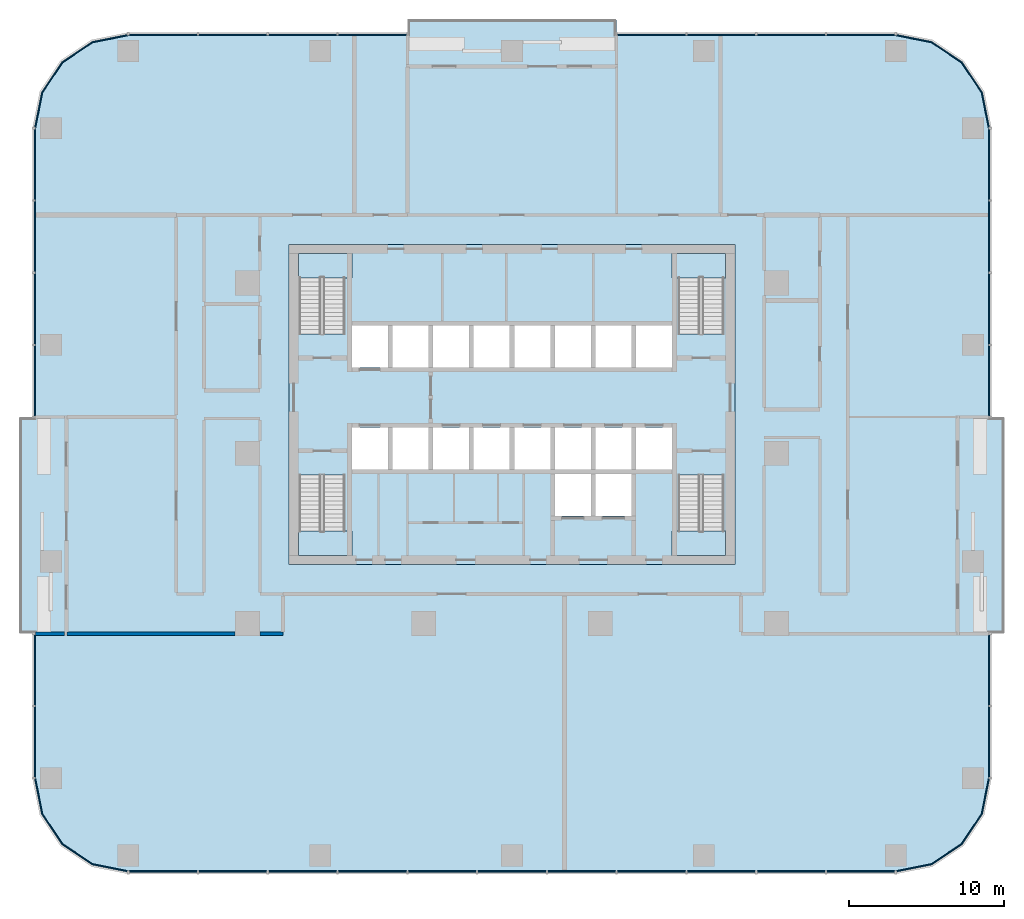
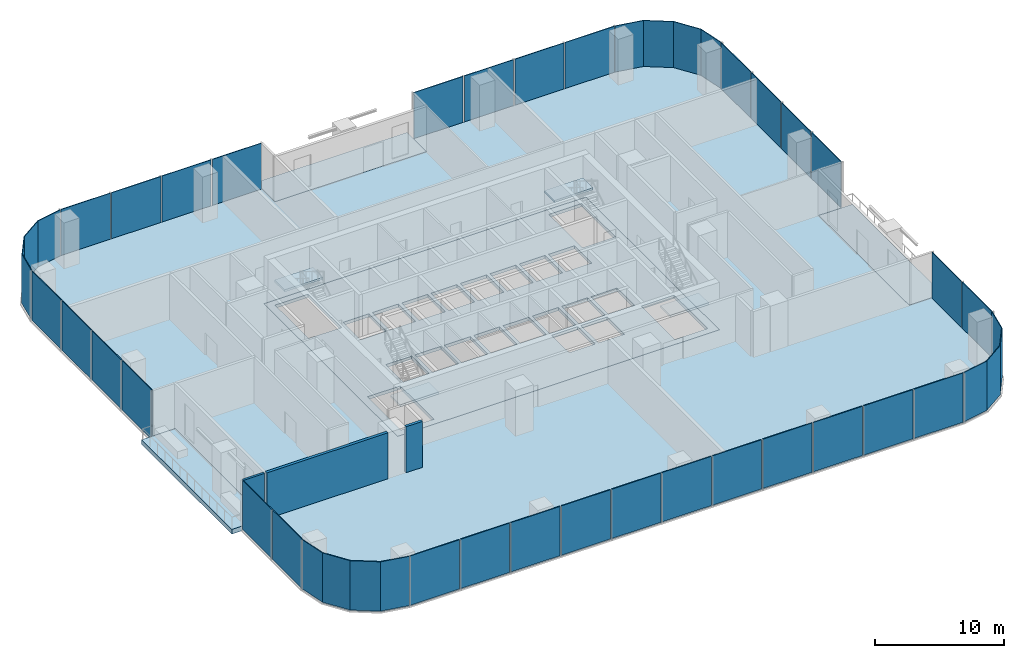
# One storey, part 6 of 14: 35 plates, 9 slabs, 3 walls, 15 elements without a shape of their own.
"""IFC4 building model written with IfcOpenShell, lengths in metres."""

from ifc_helpers import new_model, si_unit, direction, frame, frame_2d, origin, origin_2d, place, context, subcontext, project, spatial, polyline, rectangle, outline, extrude, material, layer, layer_set, type_object, element, aggregate, save


model = new_model("IFC4")

# Units and contexts
model_context = context("Model", 3, precision=1e-05, world=origin(), true_north=direction((0.0, 1.0)))
body_context = subcontext(model_context, "Body", "Model", "MODEL_VIEW")
ifc_project = project(units=[si_unit("LENGTHUNIT", "METRE"), si_unit("AREAUNIT", "SQUARE_METRE"), si_unit("VOLUMEUNIT", "CUBIC_METRE"), si_unit("PLANEANGLEUNIT", "RADIAN"), si_unit("MASSUNIT", "GRAM", prefix="KILO")], contexts=[model_context])

# Site, building, storey
site_placement = place(None, origin())
site = spatial("IfcSite", under=ifc_project, at=site_placement, CompositionType="ELEMENT")
building_placement = place(site_placement, origin())
building = spatial("IfcBuilding", under=site, at=building_placement, Name="Mopane Tessera Tower", CompositionType="ELEMENT")
storey_placement = place(building_placement, frame((0.0, 0.0, 40.60009765625)))
storey = spatial("IfcBuildingStorey", under=building, at=storey_placement, Name="L07", CompositionType="ELEMENT", Elevation=40.60009765625)

# Slab
ifc_material_1 = material(Name="Concrete C40/50", Category="concrete")
ifc_layer_1 = layer(ifc_material_1, 0.300048828125)
ifc_layer_set_1 = layer_set([ifc_layer_1], Name="Concrete C40/50")
slab_type_1 = type_object("IfcSlabType", Name="Core floor slab 300 mm", PredefinedType="FLOOR", material=ifc_layer_set_1)
slab_1_placement = place(storey_placement, frame((0.0, 0.0, -0.300048828125)))
element("IfcSlab", 1, at=slab_1_placement, inside=storey, type_object=slab_type_1, Name="L07 core floor slab", PredefinedType="FLOOR", context=body_context, shape_type="SweptSolid", body=[
    extrude(outline(polyline([(-14.39990234375, -7.199951171875), (14.39990234375, -7.199951171875), (14.39990234375, 13.5), (-14.39990234375, 13.5), (-14.39990234375, -7.199951171875)]), holes=[polyline([(-10.35009765625, -1.050048828125), (-8.02490234375, -1.050048828125), (-8.02490234375, 1.64990234375), (-10.35009765625, 1.64990234375), (-10.35009765625, -1.050048828125)]), polyline([(-7.72509765625, -1.050048828125), (-5.39990234375, -1.050048828125), (-5.39990234375, 1.64990234375), (-7.72509765625, 1.64990234375), (-7.72509765625, -1.050048828125)]), polyline([(-5.10009765625, -1.050048828125), (-2.77490234375, -1.050048828125), (-2.77490234375, 1.64990234375), (-5.10009765625, 1.64990234375), (-5.10009765625, -1.050048828125)]), polyline([(-2.47509765625, -1.050048828125), (-0.14990234375, -1.050048828125), (-0.14990234375, 1.64990234375), (-2.47509765625, 1.64990234375), (-2.47509765625, -1.050048828125)]), polyline([(0.14990234375, -1.050048828125), (2.47509765625, -1.050048828125), (2.47509765625, 1.64990234375), (0.14990234375, 1.64990234375), (0.14990234375, -1.050048828125)]), polyline([(2.77490234375, -1.050048828125), (5.10009765625, -1.050048828125), (5.10009765625, 1.64990234375), (2.77490234375, 1.64990234375), (2.77490234375, -1.050048828125)]), polyline([(5.39990234375, -1.050048828125), (7.72509765625, -1.050048828125), (7.72509765625, 1.64990234375), (5.39990234375, 1.64990234375), (5.39990234375, -1.050048828125)]), polyline([(8.02490234375, -1.050048828125), (10.35009765625, -1.050048828125), (10.35009765625, 1.64990234375), (8.02490234375, 1.64990234375), (8.02490234375, -1.050048828125)]), polyline([(-10.35009765625, 5.550048828125), (-8.02490234375, 5.550048828125), (-8.02490234375, 8.25), (-10.35009765625, 8.25), (-10.35009765625, 5.550048828125)]), polyline([(-7.72509765625, 5.550048828125), (-5.39990234375, 5.550048828125), (-5.39990234375, 8.25), (-7.72509765625, 8.25), (-7.72509765625, 5.550048828125)]), polyline([(-5.10009765625, 5.550048828125), (-2.77490234375, 5.550048828125), (-2.77490234375, 8.25), (-5.10009765625, 8.25), (-5.10009765625, 5.550048828125)]), polyline([(-2.47509765625, 5.550048828125), (-0.14990234375, 5.550048828125), (-0.14990234375, 8.25), (-2.47509765625, 8.25), (-2.47509765625, 5.550048828125)]), polyline([(0.14990234375, 5.550048828125), (2.47509765625, 5.550048828125), (2.47509765625, 8.25), (0.14990234375, 8.25), (0.14990234375, 5.550048828125)]), polyline([(2.77490234375, 5.550048828125), (5.10009765625, 5.550048828125), (5.10009765625, 8.25), (2.77490234375, 8.25), (2.77490234375, 5.550048828125)]), polyline([(5.39990234375, 5.550048828125), (7.72509765625, 5.550048828125), (7.72509765625, 8.25), (5.39990234375, 8.25), (5.39990234375, 5.550048828125)]), polyline([(8.02490234375, 5.550048828125), (10.35009765625, 5.550048828125), (10.35009765625, 8.25), (8.02490234375, 8.25), (8.02490234375, 5.550048828125)]), polyline([(2.77490234375, -4.050048828125), (5.10009765625, -4.050048828125), (5.10009765625, -1.35009765625), (2.77490234375, -1.35009765625), (2.77490234375, -4.050048828125)]), polyline([(5.39990234375, -4.050048828125), (7.72509765625, -4.050048828125), (7.72509765625, -1.35009765625), (5.39990234375, -1.35009765625), (5.39990234375, -4.050048828125)]), polyline([(-13.75, -1.405029296875), (-13.75, -6.60009765625), (-10.800048828125, -6.60009765625), (-10.800048828125, -1.405029296875), (-13.75, -1.405029296875)]), polyline([(-10.800048828125, 7.705078125), (-10.800048828125, 12.89990234375), (-13.75, 12.89990234375), (-13.75, 7.705078125), (-10.800048828125, 7.705078125)]), polyline([(10.75, -1.405029296875), (10.75, -6.60009765625), (13.699951171875, -6.60009765625), (13.699951171875, -1.405029296875), (10.75, -1.405029296875)]), polyline([(13.699951171875, 7.705078125), (13.699951171875, 12.89990234375), (10.75, 12.89990234375), (10.75, 7.705078125), (13.699951171875, 7.705078125)])]), origin(), (0.0, 0.0, 1.0), 0.300048828125),
])

# Stair, slab
ifc_material_2 = material(Name="Concrete C50/60", Category="concrete")
stair_type = type_object("IfcStairType", Name="Escape stair 1400 mm, riser 171 mm", PredefinedType="HALF_TURN_STAIR", material=ifc_material_2)
stair_1_placement = place(storey_placement, origin())
stair_1 = element("IfcStair", 2, at=stair_1_placement, inside=storey, type_object=stair_type, Name="L07 Escape stair south-west", PredefinedType="HALF_TURN_STAIR")
ifc_material_3 = material(Name="Concrete C50/60", Category="concrete")
ifc_layer_2 = layer(ifc_material_3, 0.199951171875)
ifc_layer_set_2 = layer_set([ifc_layer_2], Name="Concrete C50/60")
slab_type_2 = type_object("IfcSlabType", Name="Escape stair landing 200 mm", PredefinedType="LANDING", material=ifc_layer_set_2)
slab_2_placement = place(storey_placement, frame((0.0, 0.0, 2.199951171875)))
slab_2 = element("IfcSlab", 3, at=slab_2_placement, type_object=slab_type_2, Name="ST1 landing 1", PredefinedType="LANDING", context=body_context, shape_type="SweptSolid", body=[
    extrude(outline(polyline([(-13.800048828125, -5.0400390625), (-13.800048828125, -6.60009765625), (-10.35009765625, -6.60009765625), (-10.35009765625, -5.0400390625), (-13.800048828125, -5.0400390625)])), origin(), (0.0, 0.0, 1.0), 0.199951171875),
])
aggregate(stair_1, [slab_2])

stair_2_placement = place(storey_placement, origin())
stair_2 = element("IfcStair", 4, at=stair_2_placement, inside=storey, type_object=stair_type, Name="L07 Escape stair north-west", PredefinedType="HALF_TURN_STAIR")
slab_3_placement = place(storey_placement, frame((0.0, 0.0, 2.199951171875)))
slab_3 = element("IfcSlab", 5, at=slab_3_placement, type_object=slab_type_2, Name="ST2 landing 1", PredefinedType="LANDING", context=body_context, shape_type="SweptSolid", body=[
    extrude(outline(polyline([(-10.35009765625, 11.340087890625), (-10.35009765625, 12.89990234375), (-13.800048828125, 12.89990234375), (-13.800048828125, 11.340087890625), (-10.35009765625, 11.340087890625)])), origin(), (0.0, 0.0, 1.0), 0.199951171875),
])
aggregate(stair_2, [slab_3])

stair_3_placement = place(storey_placement, origin())
stair_3 = element("IfcStair", 6, at=stair_3_placement, inside=storey, type_object=stair_type, Name="L07 Escape stair south-east", PredefinedType="HALF_TURN_STAIR")
slab_4_placement = place(storey_placement, frame((0.0, 0.0, 2.199951171875)))
slab_4 = element("IfcSlab", 7, at=slab_4_placement, type_object=slab_type_2, Name="ST3 landing 1", PredefinedType="LANDING", context=body_context, shape_type="SweptSolid", body=[
    extrude(outline(polyline([(10.35009765625, -5.0400390625), (10.35009765625, -6.60009765625), (13.800048828125, -6.60009765625), (13.800048828125, -5.0400390625), (10.35009765625, -5.0400390625)])), origin(), (0.0, 0.0, 1.0), 0.199951171875),
])
aggregate(stair_3, [slab_4])

stair_4_placement = place(storey_placement, origin())
stair_4 = element("IfcStair", 8, at=stair_4_placement, inside=storey, type_object=stair_type, Name="L07 Escape stair north-east", PredefinedType="HALF_TURN_STAIR")
slab_5_placement = place(storey_placement, frame((0.0, 0.0, 2.199951171875)))
slab_5 = element("IfcSlab", 9, at=slab_5_placement, type_object=slab_type_2, Name="ST4 landing 1", PredefinedType="LANDING", context=body_context, shape_type="SweptSolid", body=[
    extrude(outline(polyline([(13.800048828125, 11.340087890625), (13.800048828125, 12.89990234375), (10.35009765625, 12.89990234375), (10.35009765625, 11.340087890625), (13.800048828125, 11.340087890625)])), origin(), (0.0, 0.0, 1.0), 0.199951171875),
])
aggregate(stair_4, [slab_5])

# Curtain wall, plates
ifc_material_4 = material(Name="Aluminium frame", Category="aluminium")
curtain_wall_type = type_object("IfcCurtainWallType", Name="Lower tower unitised wall", PredefinedType="NOTDEFINED", material=ifc_material_4)
curtain_wall_1_placement = place(storey_placement, origin())
curtain_wall_1 = element("IfcCurtainWall", 10, at=curtain_wall_1_placement, inside=storey, type_object=curtain_wall_type, Name="e:cw:L07:S:0", PredefinedType="NOTDEFINED")
ifc_material_5 = material(Name="Clear laminated glass", Category="glass")
ifc_layer_3 = layer(ifc_material_5, 0.070068359375)
ifc_layer_set_3 = layer_set([ifc_layer_3], Name="Clear laminated glass")
plate_type = type_object("IfcPlateType", Name="Laminated glazed unit 70", PredefinedType="CURTAIN_PANEL", material=ifc_layer_set_3)
plate_1_placement = place(storey_placement, frame((-22.54541015625, -27.034912109375, -0.31005859375), z_axis=(0.0, 0.0, 1.0), x_axis=(1.0, 0.0, 0.0)))
plate_1 = element("IfcPlate", 11, at=plate_1_placement, type_object=plate_type, Name="e:cw:L07:S:0:pn0", PredefinedType="CURTAIN_PANEL", context=body_context, shape_type="SweptSolid", body=[
    extrude(rectangle(XDim=4.399169921875, YDim=0.070068359375, at=origin_2d()), origin(), (0.0, 0.0, 1.0), 4.659912109375),
])
plate_2_placement = place(storey_placement, frame((-18.036376953125, -27.034912109375, -0.31005859375), z_axis=(0.0, 0.0, 1.0), x_axis=(1.0, 0.0, 0.0)))
plate_2 = element("IfcPlate", 12, at=plate_2_placement, type_object=plate_type, Name="e:cw:L07:S:0:pn1", PredefinedType="CURTAIN_PANEL", context=body_context, shape_type="SweptSolid", body=[
    extrude(rectangle(XDim=4.399169921875, YDim=0.070068359375, at=origin_2d()), origin(), (0.0, 0.0, 1.0), 4.659912109375),
])
plate_3_placement = place(storey_placement, frame((-13.52734375, -27.034912109375, -0.31005859375), z_axis=(0.0, 0.0, 1.0), x_axis=(1.0, 0.0, 0.0)))
plate_3 = element("IfcPlate", 13, at=plate_3_placement, type_object=plate_type, Name="e:cw:L07:S:0:pn2", PredefinedType="CURTAIN_PANEL", context=body_context, shape_type="SweptSolid", body=[
    extrude(rectangle(XDim=4.399169921875, YDim=0.070068359375, at=origin_2d()), origin(), (0.0, 0.0, 1.0), 4.659912109375),
])
plate_4_placement = place(storey_placement, frame((-9.01806640625, -27.034912109375, -0.31005859375), z_axis=(0.0, 0.0, 1.0), x_axis=(1.0, 0.0, 0.0)))
plate_4 = element("IfcPlate", 14, at=plate_4_placement, type_object=plate_type, Name="e:cw:L07:S:0:pn3", PredefinedType="CURTAIN_PANEL", context=body_context, shape_type="SweptSolid", body=[
    extrude(rectangle(XDim=4.399169921875, YDim=0.070068359375, at=origin_2d()), origin(), (0.0, 0.0, 1.0), 4.659912109375),
])
plate_5_placement = place(storey_placement, frame((-4.509033203125, -27.034912109375, -0.31005859375), z_axis=(0.0, 0.0, 1.0), x_axis=(1.0, 0.0, 0.0)))
plate_5 = element("IfcPlate", 15, at=plate_5_placement, type_object=plate_type, Name="e:cw:L07:S:0:pn4", PredefinedType="CURTAIN_PANEL", context=body_context, shape_type="SweptSolid", body=[
    extrude(rectangle(XDim=4.399169921875, YDim=0.070068359375, at=origin_2d()), origin(), (0.0, 0.0, 1.0), 4.659912109375),
])
plate_6_placement = place(storey_placement, frame((0.0, -27.034912109375, -0.31005859375), z_axis=(0.0, 0.0, 1.0), x_axis=(1.0, 0.0, 0.0)))
plate_6 = element("IfcPlate", 16, at=plate_6_placement, type_object=plate_type, Name="e:cw:L07:S:0:pn5", PredefinedType="CURTAIN_PANEL", context=body_context, shape_type="SweptSolid", body=[
    extrude(rectangle(XDim=4.399169921875, YDim=0.070068359375, at=origin_2d()), origin(), (0.0, 0.0, 1.0), 4.659912109375),
])
plate_7_placement = place(storey_placement, frame((4.509033203125, -27.034912109375, -0.31005859375), z_axis=(0.0, 0.0, 1.0), x_axis=(1.0, 0.0, 0.0)))
plate_7 = element("IfcPlate", 17, at=plate_7_placement, type_object=plate_type, Name="e:cw:L07:S:0:pn6", PredefinedType="CURTAIN_PANEL", context=body_context, shape_type="SweptSolid", body=[
    extrude(rectangle(XDim=4.399169921875, YDim=0.070068359375, at=origin_2d()), origin(), (0.0, 0.0, 1.0), 4.659912109375),
])
plate_8_placement = place(storey_placement, frame((9.01806640625, -27.034912109375, -0.31005859375), z_axis=(0.0, 0.0, 1.0), x_axis=(1.0, 0.0, 0.0)))
plate_8 = element("IfcPlate", 18, at=plate_8_placement, type_object=plate_type, Name="e:cw:L07:S:0:pn7", PredefinedType="CURTAIN_PANEL", context=body_context, shape_type="SweptSolid", body=[
    extrude(rectangle(XDim=4.399169921875, YDim=0.070068359375, at=origin_2d()), origin(), (0.0, 0.0, 1.0), 4.659912109375),
])
plate_9_placement = place(storey_placement, frame((13.52734375, -27.034912109375, -0.31005859375), z_axis=(0.0, 0.0, 1.0), x_axis=(1.0, 0.0, 0.0)))
plate_9 = element("IfcPlate", 19, at=plate_9_placement, type_object=plate_type, Name="e:cw:L07:S:0:pn8", PredefinedType="CURTAIN_PANEL", context=body_context, shape_type="SweptSolid", body=[
    extrude(rectangle(XDim=4.399169921875, YDim=0.070068359375, at=origin_2d()), origin(), (0.0, 0.0, 1.0), 4.659912109375),
])
plate_10_placement = place(storey_placement, frame((18.036376953125, -27.034912109375, -0.31005859375), z_axis=(0.0, 0.0, 1.0), x_axis=(1.0, 0.0, 0.0)))
plate_10 = element("IfcPlate", 20, at=plate_10_placement, type_object=plate_type, Name="e:cw:L07:S:0:pn9", PredefinedType="CURTAIN_PANEL", context=body_context, shape_type="SweptSolid", body=[
    extrude(rectangle(XDim=4.399169921875, YDim=0.070068359375, at=origin_2d()), origin(), (0.0, 0.0, 1.0), 4.659912109375),
])
plate_11_placement = place(storey_placement, frame((22.54541015625, -27.034912109375, -0.31005859375), z_axis=(0.0, 0.0, 1.0), x_axis=(1.0, 0.0, 0.0)))
plate_11 = element("IfcPlate", 21, at=plate_11_placement, type_object=plate_type, Name="e:cw:L07:S:0:pn10", PredefinedType="CURTAIN_PANEL", context=body_context, shape_type="SweptSolid", body=[
    extrude(rectangle(XDim=4.399169921875, YDim=0.070068359375, at=origin_2d()), origin(), (0.0, 0.0, 1.0), 4.659912109375),
])
aggregate(curtain_wall_1, [plate_1, plate_2, plate_3, plate_4, plate_5, plate_6, plate_7, plate_8, plate_9, plate_10, plate_11])

# Curtain wall, plate
curtain_wall_2_placement = place(storey_placement, origin())
curtain_wall_2 = element("IfcCurtainWall", 22, at=curtain_wall_2_placement, inside=storey, type_object=curtain_wall_type, Name="e:cw:L07:CS", PredefinedType="NOTDEFINED")
plate_12_placement = place(storey_placement, frame((0.0, 0.0, -0.31005859375)))
plate_12 = element("IfcPlate", 23, at=plate_12_placement, type_object=plate_type, Name="e:cw:L07:CS:pn", PredefinedType="CURTAIN_PANEL", context=body_context, shape_type="SweptSolid", body=[
    extrude(outline(polyline([(24.800048828125, -27.0), (27.09619140625, -26.543212890625), (29.042724609375, -25.24267578125), (30.34326171875, -23.296142578125), (30.800048828125, -21.0), (30.8701171875, -21.0), (30.407958984375, -23.322998046875), (29.092041015625, -25.292236328125), (27.122802734375, -26.60791015625), (24.800048828125, -27.070068359375), (24.800048828125, -27.0)])), origin(), (0.0, 0.0, 1.0), 4.659912109375),
])
aggregate(curtain_wall_2, [plate_12])

# Curtain wall, plates
curtain_wall_3_placement = place(storey_placement, origin())
curtain_wall_3 = element("IfcCurtainWall", 24, at=curtain_wall_3_placement, inside=storey, type_object=curtain_wall_type, Name="e:cw:L07:E:0", PredefinedType="NOTDEFINED")
plate_13_placement = place(storey_placement, frame((30.8349609375, -18.666748046875, -0.31005859375), z_axis=(0.0, 0.0, 1.0), x_axis=(0.0, 1.0, 0.0)))
plate_13 = element("IfcPlate", 25, at=plate_13_placement, type_object=plate_type, Name="e:cw:L07:E:0:pn0", PredefinedType="CURTAIN_PANEL", context=body_context, shape_type="SweptSolid", body=[
    extrude(rectangle(XDim=4.556640625, YDim=0.070068359375, at=origin_2d()), origin(), (0.0, 0.0, 1.0), 4.659912109375),
])
plate_14_placement = place(storey_placement, frame((30.8349609375, -14.0, -0.31005859375), z_axis=(0.0, 0.0, 1.0), x_axis=(0.0, 1.0, 0.0)))
plate_14 = element("IfcPlate", 26, at=plate_14_placement, type_object=plate_type, Name="e:cw:L07:E:0:pn1", PredefinedType="CURTAIN_PANEL", context=body_context, shape_type="SweptSolid", body=[
    extrude(rectangle(XDim=4.556640625, YDim=0.070068359375, at=origin_2d()), origin(), (0.0, 0.0, 1.0), 4.659912109375),
])
aggregate(curtain_wall_3, [plate_13, plate_14])

curtain_wall_4_placement = place(storey_placement, origin())
curtain_wall_4 = element("IfcCurtainWall", 27, at=curtain_wall_4_placement, inside=storey, type_object=curtain_wall_type, Name="e:cw:L07:E:5", PredefinedType="NOTDEFINED")
plate_15_placement = place(storey_placement, frame((30.8349609375, 4.666748046875, -0.31005859375), z_axis=(0.0, 0.0, 1.0), x_axis=(0.0, 1.0, 0.0)))
plate_15 = element("IfcPlate", 28, at=plate_15_placement, type_object=plate_type, Name="e:cw:L07:E:5:pn5", PredefinedType="CURTAIN_PANEL", context=body_context, shape_type="SweptSolid", body=[
    extrude(rectangle(XDim=4.556640625, YDim=0.070068359375, at=origin_2d()), origin(), (0.0, 0.0, 1.0), 4.659912109375),
])
plate_16_placement = place(storey_placement, frame((30.8349609375, 9.333251953125, -0.31005859375), z_axis=(0.0, 0.0, 1.0), x_axis=(0.0, 1.0, 0.0)))
plate_16 = element("IfcPlate", 29, at=plate_16_placement, type_object=plate_type, Name="e:cw:L07:E:5:pn6", PredefinedType="CURTAIN_PANEL", context=body_context, shape_type="SweptSolid", body=[
    extrude(rectangle(XDim=4.556640625, YDim=0.070068359375, at=origin_2d()), origin(), (0.0, 0.0, 1.0), 4.659912109375),
])
plate_17_placement = place(storey_placement, frame((30.8349609375, 14.0, -0.31005859375), z_axis=(0.0, 0.0, 1.0), x_axis=(0.0, 1.0, 0.0)))
plate_17 = element("IfcPlate", 30, at=plate_17_placement, type_object=plate_type, Name="e:cw:L07:E:5:pn7", PredefinedType="CURTAIN_PANEL", context=body_context, shape_type="SweptSolid", body=[
    extrude(rectangle(XDim=4.556640625, YDim=0.070068359375, at=origin_2d()), origin(), (0.0, 0.0, 1.0), 4.659912109375),
])
plate_18_placement = place(storey_placement, frame((30.8349609375, 18.666748046875, -0.31005859375), z_axis=(0.0, 0.0, 1.0), x_axis=(0.0, 1.0, 0.0)))
plate_18 = element("IfcPlate", 31, at=plate_18_placement, type_object=plate_type, Name="e:cw:L07:E:5:pn8", PredefinedType="CURTAIN_PANEL", context=body_context, shape_type="SweptSolid", body=[
    extrude(rectangle(XDim=4.556640625, YDim=0.070068359375, at=origin_2d()), origin(), (0.0, 0.0, 1.0), 4.659912109375),
])
aggregate(curtain_wall_4, [plate_15, plate_16, plate_17, plate_18])

# Curtain wall, plate
curtain_wall_5_placement = place(storey_placement, origin())
curtain_wall_5 = element("IfcCurtainWall", 32, at=curtain_wall_5_placement, inside=storey, type_object=curtain_wall_type, Name="e:cw:L07:CE", PredefinedType="NOTDEFINED")
plate_19_placement = place(storey_placement, frame((0.0, 0.0, -0.31005859375)))
plate_19 = element("IfcPlate", 33, at=plate_19_placement, type_object=plate_type, Name="e:cw:L07:CE:pn", PredefinedType="CURTAIN_PANEL", context=body_context, shape_type="SweptSolid", body=[
    extrude(outline(polyline([(30.800048828125, 21.0), (30.34326171875, 23.296142578125), (29.042724609375, 25.24267578125), (27.09619140625, 26.543212890625), (24.800048828125, 27.0), (24.800048828125, 27.070068359375), (27.122802734375, 26.60791015625), (29.092041015625, 25.292236328125), (30.407958984375, 23.322998046875), (30.8701171875, 21.0), (30.800048828125, 21.0)])), origin(), (0.0, 0.0, 1.0), 4.659912109375),
])
aggregate(curtain_wall_5, [plate_19])

# Curtain wall, plates
curtain_wall_6_placement = place(storey_placement, origin())
curtain_wall_6 = element("IfcCurtainWall", 34, at=curtain_wall_6_placement, inside=storey, type_object=curtain_wall_type, Name="e:cw:L07:N:0", PredefinedType="NOTDEFINED")
plate_20_placement = place(storey_placement, frame((22.54541015625, 27.034912109375, -0.31005859375), z_axis=(0.0, 0.0, 1.0), x_axis=(-1.0, 0.0, 0.0)))
plate_20 = element("IfcPlate", 35, at=plate_20_placement, type_object=plate_type, Name="e:cw:L07:N:0:pn0", PredefinedType="CURTAIN_PANEL", context=body_context, shape_type="SweptSolid", body=[
    extrude(rectangle(XDim=4.399169921875, YDim=0.070068359375, at=origin_2d()), origin(), (0.0, 0.0, 1.0), 4.659912109375),
])
plate_21_placement = place(storey_placement, frame((18.036376953125, 27.034912109375, -0.31005859375), z_axis=(0.0, 0.0, 1.0), x_axis=(-1.0, 0.0, 0.0)))
plate_21 = element("IfcPlate", 36, at=plate_21_placement, type_object=plate_type, Name="e:cw:L07:N:0:pn1", PredefinedType="CURTAIN_PANEL", context=body_context, shape_type="SweptSolid", body=[
    extrude(rectangle(XDim=4.399169921875, YDim=0.070068359375, at=origin_2d()), origin(), (0.0, 0.0, 1.0), 4.659912109375),
])
plate_22_placement = place(storey_placement, frame((13.52734375, 27.034912109375, -0.31005859375), z_axis=(0.0, 0.0, 1.0), x_axis=(-1.0, 0.0, 0.0)))
plate_22 = element("IfcPlate", 37, at=plate_22_placement, type_object=plate_type, Name="e:cw:L07:N:0:pn2", PredefinedType="CURTAIN_PANEL", context=body_context, shape_type="SweptSolid", body=[
    extrude(rectangle(XDim=4.399169921875, YDim=0.070068359375, at=origin_2d()), origin(), (0.0, 0.0, 1.0), 4.659912109375),
])
plate_23_placement = place(storey_placement, frame((9.01806640625, 27.034912109375, -0.31005859375), z_axis=(0.0, 0.0, 1.0), x_axis=(-1.0, 0.0, 0.0)))
plate_23 = element("IfcPlate", 38, at=plate_23_placement, type_object=plate_type, Name="e:cw:L07:N:0:pn3", PredefinedType="CURTAIN_PANEL", context=body_context, shape_type="SweptSolid", body=[
    extrude(rectangle(XDim=4.399169921875, YDim=0.070068359375, at=origin_2d()), origin(), (0.0, 0.0, 1.0), 4.659912109375),
])
aggregate(curtain_wall_6, [plate_20, plate_21, plate_22, plate_23])

curtain_wall_7_placement = place(storey_placement, origin())
curtain_wall_7 = element("IfcCurtainWall", 39, at=curtain_wall_7_placement, inside=storey, type_object=curtain_wall_type, Name="e:cw:L07:N:7", PredefinedType="NOTDEFINED")
plate_24_placement = place(storey_placement, frame((-9.01806640625, 27.034912109375, -0.31005859375), z_axis=(0.0, 0.0, 1.0), x_axis=(-1.0, 0.0, 0.0)))
plate_24 = element("IfcPlate", 40, at=plate_24_placement, type_object=plate_type, Name="e:cw:L07:N:7:pn7", PredefinedType="CURTAIN_PANEL", context=body_context, shape_type="SweptSolid", body=[
    extrude(rectangle(XDim=4.399169921875, YDim=0.070068359375, at=origin_2d()), origin(), (0.0, 0.0, 1.0), 4.659912109375),
])
plate_25_placement = place(storey_placement, frame((-13.52734375, 27.034912109375, -0.31005859375), z_axis=(0.0, 0.0, 1.0), x_axis=(-1.0, 0.0, 0.0)))
plate_25 = element("IfcPlate", 41, at=plate_25_placement, type_object=plate_type, Name="e:cw:L07:N:7:pn8", PredefinedType="CURTAIN_PANEL", context=body_context, shape_type="SweptSolid", body=[
    extrude(rectangle(XDim=4.399169921875, YDim=0.070068359375, at=origin_2d()), origin(), (0.0, 0.0, 1.0), 4.659912109375),
])
plate_26_placement = place(storey_placement, frame((-18.036376953125, 27.034912109375, -0.31005859375), z_axis=(0.0, 0.0, 1.0), x_axis=(-1.0, 0.0, 0.0)))
plate_26 = element("IfcPlate", 42, at=plate_26_placement, type_object=plate_type, Name="e:cw:L07:N:7:pn9", PredefinedType="CURTAIN_PANEL", context=body_context, shape_type="SweptSolid", body=[
    extrude(rectangle(XDim=4.399169921875, YDim=0.070068359375, at=origin_2d()), origin(), (0.0, 0.0, 1.0), 4.659912109375),
])
plate_27_placement = place(storey_placement, frame((-22.54541015625, 27.034912109375, -0.31005859375), z_axis=(0.0, 0.0, 1.0), x_axis=(-1.0, 0.0, 0.0)))
plate_27 = element("IfcPlate", 43, at=plate_27_placement, type_object=plate_type, Name="e:cw:L07:N:7:pn10", PredefinedType="CURTAIN_PANEL", context=body_context, shape_type="SweptSolid", body=[
    extrude(rectangle(XDim=4.399169921875, YDim=0.070068359375, at=origin_2d()), origin(), (0.0, 0.0, 1.0), 4.659912109375),
])
aggregate(curtain_wall_7, [plate_24, plate_25, plate_26, plate_27])

# Curtain wall, plate
curtain_wall_8_placement = place(storey_placement, origin())
curtain_wall_8 = element("IfcCurtainWall", 44, at=curtain_wall_8_placement, inside=storey, type_object=curtain_wall_type, Name="e:cw:L07:CN", PredefinedType="NOTDEFINED")
plate_28_placement = place(storey_placement, frame((0.0, 0.0, -0.31005859375)))
plate_28 = element("IfcPlate", 45, at=plate_28_placement, type_object=plate_type, Name="e:cw:L07:CN:pn", PredefinedType="CURTAIN_PANEL", context=body_context, shape_type="SweptSolid", body=[
    extrude(outline(polyline([(-24.800048828125, 27.0), (-27.09619140625, 26.543212890625), (-29.042724609375, 25.24267578125), (-30.34326171875, 23.296142578125), (-30.800048828125, 21.0), (-30.8701171875, 21.0), (-30.407958984375, 23.322998046875), (-29.092041015625, 25.292236328125), (-27.122802734375, 26.60791015625), (-24.800048828125, 27.070068359375), (-24.800048828125, 27.0)])), origin(), (0.0, 0.0, 1.0), 4.659912109375),
])
aggregate(curtain_wall_8, [plate_28])

# Curtain wall, plates
curtain_wall_9_placement = place(storey_placement, origin())
curtain_wall_9 = element("IfcCurtainWall", 46, at=curtain_wall_9_placement, inside=storey, type_object=curtain_wall_type, Name="e:cw:L07:W:0", PredefinedType="NOTDEFINED")
plate_29_placement = place(storey_placement, frame((-30.8349609375, 18.666748046875, -0.31005859375), z_axis=(0.0, 0.0, 1.0), x_axis=(0.0, -1.0, 0.0)))
plate_29 = element("IfcPlate", 47, at=plate_29_placement, type_object=plate_type, Name="e:cw:L07:W:0:pn0", PredefinedType="CURTAIN_PANEL", context=body_context, shape_type="SweptSolid", body=[
    extrude(rectangle(XDim=4.556640625, YDim=0.070068359375, at=origin_2d()), origin(), (0.0, 0.0, 1.0), 4.659912109375),
])
plate_30_placement = place(storey_placement, frame((-30.8349609375, 14.0, -0.31005859375), z_axis=(0.0, 0.0, 1.0), x_axis=(0.0, -1.0, 0.0)))
plate_30 = element("IfcPlate", 48, at=plate_30_placement, type_object=plate_type, Name="e:cw:L07:W:0:pn1", PredefinedType="CURTAIN_PANEL", context=body_context, shape_type="SweptSolid", body=[
    extrude(rectangle(XDim=4.556640625, YDim=0.070068359375, at=origin_2d()), origin(), (0.0, 0.0, 1.0), 4.659912109375),
])
plate_31_placement = place(storey_placement, frame((-30.8349609375, 9.333251953125, -0.31005859375), z_axis=(0.0, 0.0, 1.0), x_axis=(0.0, -1.0, 0.0)))
plate_31 = element("IfcPlate", 49, at=plate_31_placement, type_object=plate_type, Name="e:cw:L07:W:0:pn2", PredefinedType="CURTAIN_PANEL", context=body_context, shape_type="SweptSolid", body=[
    extrude(rectangle(XDim=4.556640625, YDim=0.070068359375, at=origin_2d()), origin(), (0.0, 0.0, 1.0), 4.659912109375),
])
plate_32_placement = place(storey_placement, frame((-30.8349609375, 4.666748046875, -0.31005859375), z_axis=(0.0, 0.0, 1.0), x_axis=(0.0, -1.0, 0.0)))
plate_32 = element("IfcPlate", 50, at=plate_32_placement, type_object=plate_type, Name="e:cw:L07:W:0:pn3", PredefinedType="CURTAIN_PANEL", context=body_context, shape_type="SweptSolid", body=[
    extrude(rectangle(XDim=4.556640625, YDim=0.070068359375, at=origin_2d()), origin(), (0.0, 0.0, 1.0), 4.659912109375),
])
aggregate(curtain_wall_9, [plate_29, plate_30, plate_31, plate_32])

curtain_wall_10_placement = place(storey_placement, origin())
curtain_wall_10 = element("IfcCurtainWall", 51, at=curtain_wall_10_placement, inside=storey, type_object=curtain_wall_type, Name="e:cw:L07:W:7", PredefinedType="NOTDEFINED")
plate_33_placement = place(storey_placement, frame((-30.8349609375, -14.0, -0.31005859375), z_axis=(0.0, 0.0, 1.0), x_axis=(0.0, -1.0, 0.0)))
plate_33 = element("IfcPlate", 52, at=plate_33_placement, type_object=plate_type, Name="e:cw:L07:W:7:pn7", PredefinedType="CURTAIN_PANEL", context=body_context, shape_type="SweptSolid", body=[
    extrude(rectangle(XDim=4.556640625, YDim=0.070068359375, at=origin_2d()), origin(), (0.0, 0.0, 1.0), 4.659912109375),
])
plate_34_placement = place(storey_placement, frame((-30.8349609375, -18.666748046875, -0.31005859375), z_axis=(0.0, 0.0, 1.0), x_axis=(0.0, -1.0, 0.0)))
plate_34 = element("IfcPlate", 53, at=plate_34_placement, type_object=plate_type, Name="e:cw:L07:W:7:pn8", PredefinedType="CURTAIN_PANEL", context=body_context, shape_type="SweptSolid", body=[
    extrude(rectangle(XDim=4.556640625, YDim=0.070068359375, at=origin_2d()), origin(), (0.0, 0.0, 1.0), 4.659912109375),
])
aggregate(curtain_wall_10, [plate_33, plate_34])

# Curtain wall, plate
curtain_wall_11_placement = place(storey_placement, origin())
curtain_wall_11 = element("IfcCurtainWall", 54, at=curtain_wall_11_placement, inside=storey, type_object=curtain_wall_type, Name="e:cw:L07:CW", PredefinedType="NOTDEFINED")
plate_35_placement = place(storey_placement, frame((0.0, 0.0, -0.31005859375)))
plate_35 = element("IfcPlate", 55, at=plate_35_placement, type_object=plate_type, Name="e:cw:L07:CW:pn", PredefinedType="CURTAIN_PANEL", context=body_context, shape_type="SweptSolid", body=[
    extrude(outline(polyline([(-30.800048828125, -21.0), (-30.34326171875, -23.296142578125), (-29.042724609375, -25.24267578125), (-27.09619140625, -26.543212890625), (-24.800048828125, -27.0), (-24.800048828125, -27.070068359375), (-27.122802734375, -26.60791015625), (-29.092041015625, -25.292236328125), (-30.407958984375, -23.322998046875), (-30.8701171875, -21.0), (-30.800048828125, -21.0)])), origin(), (0.0, 0.0, 1.0), 4.659912109375),
])
aggregate(curtain_wall_11, [plate_35])

# Slabs
ifc_material_6 = material(Name="Concrete C40/50", Category="concrete")
ifc_layer_4 = layer(ifc_material_6, 0.449951171875)
ifc_layer_set_4 = layer_set([ifc_layer_4], Name="Concrete C40/50")
slab_type_3 = type_object("IfcSlabType", Name="Planted terrace slab 450 mm", PredefinedType="FLOOR", material=ifc_layer_set_4)
slab_6_placement = place(storey_placement, frame((0.0, 0.0, -0.4501953125)))
element("IfcSlab", 56, at=slab_6_placement, inside=storey, type_object=slab_type_3, Name="Terrace slab N1 L07", PredefinedType="FLOOR", context=body_context, shape_type="SweptSolid", body=[
    extrude(outline(polyline([(31.800048828125, 2.333251953125), (28.800048828125, 2.333251953125), (28.800048828125, -11.666748046875), (31.800048828125, -11.666748046875), (31.800048828125, 2.333251953125)])), origin(), (0.0, 0.0, 1.0), 0.4501953125),
])
slab_7_placement = place(storey_placement, frame((0.0, 0.0, -0.4501953125)))
element("IfcSlab", 57, at=slab_7_placement, inside=storey, type_object=slab_type_3, Name="Terrace slab N2 L07", PredefinedType="FLOOR", context=body_context, shape_type="SweptSolid", body=[
    extrude(outline(polyline([(-6.763671875, 28.0), (-6.763671875, 25.0), (6.763671875, 25.0), (6.763671875, 28.0), (-6.763671875, 28.0)])), origin(), (0.0, 0.0, 1.0), 0.4501953125),
])
slab_8_placement = place(storey_placement, frame((0.0, 0.0, -0.4501953125)))
element("IfcSlab", 58, at=slab_8_placement, inside=storey, type_object=slab_type_3, Name="Terrace slab N3 L07", PredefinedType="FLOOR", context=body_context, shape_type="SweptSolid", body=[
    extrude(outline(polyline([(-31.800048828125, -11.666748046875), (-28.800048828125, -11.666748046875), (-28.800048828125, 2.333251953125), (-31.800048828125, 2.333251953125), (-31.800048828125, -11.666748046875)])), origin(), (0.0, 0.0, 1.0), 0.4501953125),
])
ifc_material_7 = material(Name="Concrete C40/50", Category="concrete")
ifc_layer_5 = layer(ifc_material_7, 0.449951171875)
ifc_layer_set_5 = layer_set([ifc_layer_5], Name="Concrete C40/50")
slab_type_4 = type_object("IfcSlabType", Name="Post-tensioned flat plate 450 mm", PredefinedType="FLOOR", material=ifc_layer_set_5)
slab_9_placement = place(storey_placement, frame((0.0, 0.0, -0.4501953125)))
element("IfcSlab", 59, at=slab_9_placement, inside=storey, type_object=slab_type_4, Name="Floor slab L07", PredefinedType="FLOOR", context=body_context, shape_type="SweptSolid", body=[
    extrude(outline(polyline([(30.800048828125, -21.0), (30.800048828125, -11.666748046875), (28.800048828125, -11.666748046875), (28.800048828125, 2.333251953125), (30.800048828125, 2.333251953125), (30.800048828125, 21.0), (30.34326171875, 23.296142578125), (29.042724609375, 25.24267578125), (27.09619140625, 26.543212890625), (24.800048828125, 27.0), (6.763671875, 27.0), (6.763671875, 25.0), (-6.763671875, 25.0), (-6.763671875, 27.0), (-24.800048828125, 27.0), (-27.09619140625, 26.543212890625), (-29.042724609375, 25.24267578125), (-30.34326171875, 23.296142578125), (-30.800048828125, 21.0), (-30.800048828125, 2.333251953125), (-28.800048828125, 2.333251953125), (-28.800048828125, -11.666748046875), (-30.800048828125, -11.666748046875), (-30.800048828125, -21.0), (-30.34326171875, -23.296142578125), (-29.042724609375, -25.24267578125), (-27.09619140625, -26.543212890625), (-24.800048828125, -27.0), (24.800048828125, -27.0), (27.09619140625, -26.543212890625), (29.042724609375, -25.24267578125), (30.34326171875, -23.296142578125), (30.800048828125, -21.0)]), holes=[polyline([(14.39990234375, -7.199951171875), (-14.39990234375, -7.199951171875), (-14.39990234375, 13.5), (14.39990234375, 13.5), (14.39990234375, -7.199951171875)])]), origin(), (0.0, 0.0, 1.0), 0.4501953125),
])

# Walls
ifc_material_8 = material(Name="Plastered concrete blockwork C20/25", Category="masonry")
ifc_layer_6 = layer(ifc_material_8, 0.25)
ifc_layer_set_6 = layer_set([ifc_layer_6], Name="Plastered concrete blockwork C20/25")
wall_type_1 = type_object("IfcWallType", Name="Plastered blockwork wall 250, rated EI 120", PredefinedType="PARTITIONING", material=ifc_layer_set_6)
wall_1_placement = place(storey_placement, frame((-28.75, -11.6650390625, 0.0), z_axis=(0.0, 0.0, 1.0), x_axis=(1.0, 0.0, 0.0)))
element("IfcWall", 60, at=wall_1_placement, inside=storey, type_object=wall_type_1, Name="Partition L07:000", PredefinedType="PARTITIONING", context=body_context, shape_type="SweptSolid", body=[
    extrude(rectangle(XDim=10.85009765625, YDim=0.25, at=frame_2d((5.425048828125, 0.0))), origin(), (0.0, 0.0, 1.0), 4.349853515625),
])
wall_2_placement = place(storey_placement, frame((-16.300048828125, -11.6650390625, 0.0), z_axis=(0.0, 0.0, 1.0), x_axis=(1.0, 0.0, 0.0)))
element("IfcWall", 61, at=wall_2_placement, inside=storey, type_object=wall_type_1, Name="Partition L07:001", PredefinedType="PARTITIONING", context=body_context, shape_type="SweptSolid", body=[
    extrude(rectangle(XDim=1.5, YDim=0.25, at=frame_2d((0.75, 0.0))), origin(), (0.0, 0.0, 1.0), 4.349853515625),
])
ifc_material_9 = material(Name="Blockwork with glazed tile facing", Category="masonry")
ifc_layer_7 = layer(ifc_material_9, 0.199951171875)
ifc_layer_set_7 = layer_set([ifc_layer_7], Name="Blockwork with glazed tile facing")
wall_type_2 = type_object("IfcWallType", Name="Terrace cheek wall 200", PredefinedType="STANDARD", material=ifc_layer_set_7)
wall_3_placement = place(storey_placement, frame((-30.800048828125, -11.666748046875, 0.0), z_axis=(0.0, 0.0, 1.0), x_axis=(1.0, 0.0, 0.0)))
element("IfcWall", 62, at=wall_3_placement, inside=storey, type_object=wall_type_2, Name="e:nw:L07:N3:cheekb", PredefinedType="STANDARD", context=body_context, shape_type="SweptSolid", body=[
    extrude(rectangle(XDim=1.875, YDim=0.199951171875, at=frame_2d((0.9375, 0.0))), origin(), (0.0, 0.0, 1.0), 4.349853515625),
])

save(model, "model.ifc")
